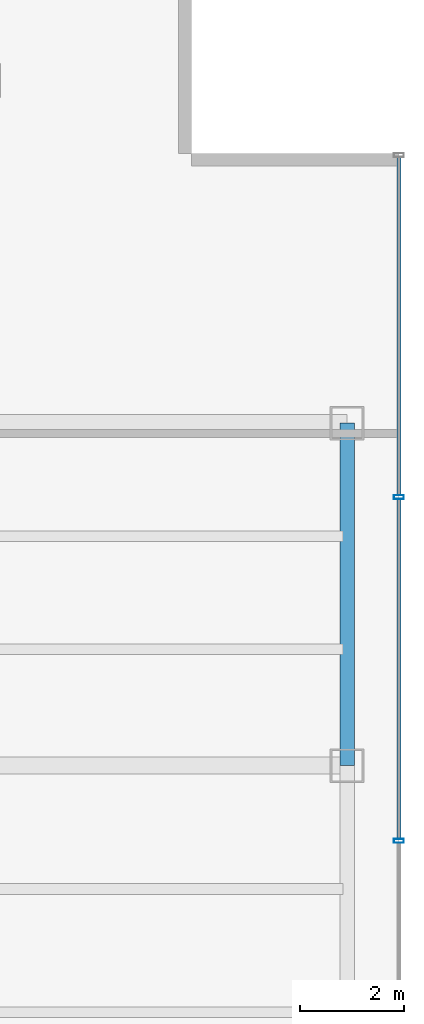
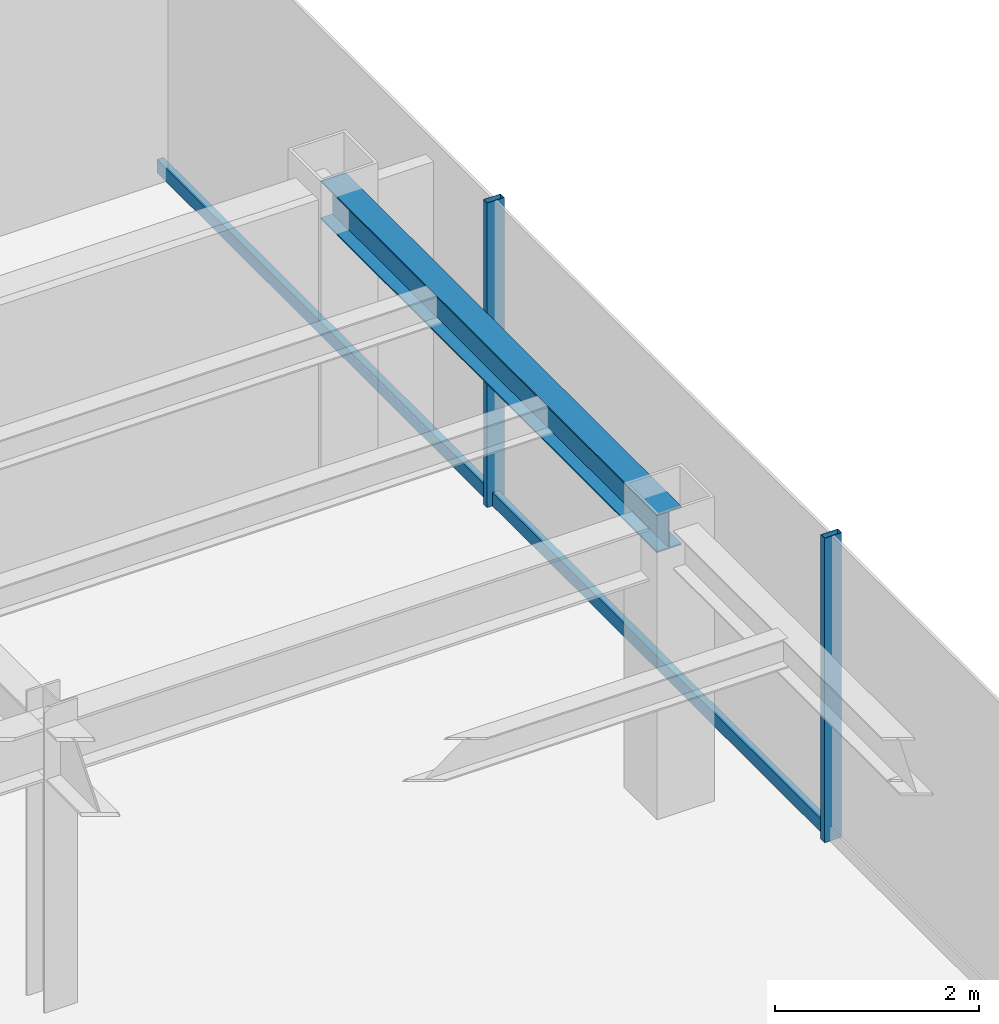
# One storey, part 13 of 25: 4 members, 1 beam, 1 element without a shape of its own.
"""IFC4 building model written with IfcOpenShell, lengths in metres."""

import ifcopenshell
import ifcopenshell.guid

model = None  # the IFC model being written
_history = None  # IfcOwnerHistory: only IFC2X3 demands one
_inside = {}  # id of a spatial element -> (the spatial element, [elements in it])
_under = {}  # id of a project, library or spatial element -> (it, [spatial elements below it])
_declared = {}  # id of a project -> (the project, [libraries it declares])
_typed = {}  # id of a type object -> (the type object, [elements of that type])
_made_of = {}  # id of a material, layer set ... -> (it, [elements and type objects made of it])


def new_model(schema):
    """Start an empty IFC model of exactly this schema.

    Asked for "IFC4X3", IfcOpenShell would pick the latest addendum, in which some entities
    have other attributes; the version numbers below select the first issue.
    IFC2X3 requires an IfcOwnerHistory on every rooted entity: one is made here for all.
    """
    global model, _history
    if schema == "IFC4X3":
        model = ifcopenshell.file(schema_version=(4, 3, 0, 0))
    else:
        model = ifcopenshell.file(schema=schema)
    _inside.clear()
    _under.clear()
    _declared.clear()
    _typed.clear()
    _made_of.clear()
    _history = None
    if model.schema == "IFC2X3":
        org = make("IfcOrganization", Name="unknown")
        user = make(
            "IfcPersonAndOrganization",
            ThePerson=make("IfcPerson", FamilyName="unknown"),
            TheOrganization=org,
        )
        app = make(
            "IfcApplication",
            ApplicationDeveloper=org,
            Version="unknown",
            ApplicationFullName="unknown",
            ApplicationIdentifier="unknown",
        )
        _history = make(
            "IfcOwnerHistory",
            OwningUser=user,
            OwningApplication=app,
            ChangeAction="ADDED",
            CreationDate=0,
        )
    return model


def make(cls, **values):
    """One entity of the class cls with the attributes given. An attribute that is None is left unset."""
    return model.create_entity(
        cls, **{name: value for name, value in values.items() if value is not None}
    )


def rooted(cls, **values):
    """An entity with a GlobalId (a new one), such as an element, a storey or a relation."""
    return make(cls, GlobalId=ifcopenshell.guid.new(), OwnerHistory=_history, **values)


def si_unit(unit_type, name, prefix=None):
    """IfcSIUnit, for example si_unit("LENGTHUNIT", "METRE", prefix="MILLI")."""
    return make("IfcSIUnit", UnitType=unit_type, Prefix=prefix, Name=name)


def derived_unit(unit_type, elements):
    """IfcDerivedUnit: a product of units, each with its exponent."""
    return make(
        "IfcDerivedUnit",
        Elements=[
            make("IfcDerivedUnitElement", Unit=unit, Exponent=power)
            for unit, power in elements
        ],
        UnitType=unit_type,
    )


def assignment(units):
    """IfcUnitAssignment: the units of a project."""
    return None if units is None else make("IfcUnitAssignment", Units=units)


def point(xyz):
    """IfcCartesianPoint."""
    return None if xyz is None else make("IfcCartesianPoint", Coordinates=xyz)


def direction(xyz):
    """IfcDirection."""
    return None if xyz is None else make("IfcDirection", DirectionRatios=xyz)


def frame(location, z_axis=None, x_axis=None):
    """IfcAxis2Placement3D, a coordinate frame: its origin and axes. An axis left out is left unset."""
    return make(
        "IfcAxis2Placement3D",
        Location=point(location),
        Axis=direction(z_axis),
        RefDirection=direction(x_axis),
    )


def frame_2d(location, x_axis=None):
    """IfcAxis2Placement2D, a coordinate frame in the plane: its origin and x axis."""
    return make(
        "IfcAxis2Placement2D", Location=point(location), RefDirection=direction(x_axis)
    )


def origin():
    """The frame at (0, 0, 0) with its axes left unset."""
    return frame((0.0, 0.0, 0.0))


def origin_2d():
    """The frame at (0, 0) in the plane with its x axis left unset."""
    return frame_2d((0.0, 0.0))


def place(relative_to, where):
    """IfcLocalPlacement: puts the frame where relative to a parent placement (None: the world)."""
    return make(
        "IfcLocalPlacement", PlacementRelTo=relative_to, RelativePlacement=where
    )


def context(
    kind, dimensions, precision=None, world=None, true_north=None, identifier=None
):
    """IfcGeometricRepresentationContext, for example the 3D "Model" context."""
    return make(
        "IfcGeometricRepresentationContext",
        ContextIdentifier=identifier,
        ContextType=kind,
        CoordinateSpaceDimension=dimensions,
        Precision=precision,
        WorldCoordinateSystem=world,
        TrueNorth=true_north,
    )


def subcontext(parent, identifier, kind, view, scale=None):
    """IfcGeometricRepresentationSubContext, for example "Body" below "Model"."""
    return make(
        "IfcGeometricRepresentationSubContext",
        ContextIdentifier=identifier,
        ContextType=kind,
        ParentContext=parent,
        TargetScale=scale,
        TargetView=view,
    )


def project(units=None, contexts=None):
    """IfcProject with its units and contexts."""
    return rooted(
        "IfcProject",
        Name="project",
        RepresentationContexts=contexts,
        UnitsInContext=assignment(units),
    )


def spatial(cls, under=None, at=None, **own):
    """A site, building, storey or space (cls), placed at a placement, below another one or the project."""
    s = rooted(cls, ObjectPlacement=at, **own)
    if under is not None:
        _under.setdefault(under.id(), (under, []))[1].append(s)
    return s


def profile(cls, at=None, kind="AREA", **sizes):
    """A parametric profile (cls). Its sizes go by their IFC names, for example OverallWidth=200.0."""
    return make(cls, ProfileType=kind, Position=at, **sizes)


def hollow_rectangle(**sizes):
    """IfcRectangleHollowProfileDef."""
    return profile("IfcRectangleHollowProfileDef", **sizes)


def i_section(**sizes):
    """IfcIShapeProfileDef."""
    return profile("IfcIShapeProfileDef", **sizes)


def extrude(swept, where, along, depth):
    """IfcExtrudedAreaSolid: the profile swept, set in the frame where, extruded along a direction by depth."""
    return make(
        "IfcExtrudedAreaSolid",
        SweptArea=swept,
        Position=where,
        ExtrudedDirection=direction(along),
        Depth=depth,
    )


def shape(context_of_items, identifier, shape_type, items):
    """IfcShapeRepresentation: the items that make up one representation, for example the "Body"."""
    return make(
        "IfcShapeRepresentation",
        ContextOfItems=context_of_items,
        RepresentationIdentifier=identifier,
        RepresentationType=shape_type,
        Items=items,
    )


def source(mapping_origin, context_of_items, identifier, shape_type, items):
    """IfcRepresentationMap: a shape defined once, which mapped items show again and again."""
    return make(
        "IfcRepresentationMap",
        MappingOrigin=mapping_origin,
        MappedRepresentation=shape(context_of_items, identifier, shape_type, items),
    )


def transform(
    local_origin,
    x_axis=None,
    y_axis=None,
    z_axis=None,
    scale=None,
    scale2=None,
    scale3=None,
    uniform=True,
):
    """IfcCartesianTransformationOperator3D, or its non-uniform kind. x_axis, y_axis, z_axis: its Axis1, 2, 3."""
    if uniform:
        return make(
            "IfcCartesianTransformationOperator3D",
            Axis1=direction(x_axis),
            Axis2=direction(y_axis),
            LocalOrigin=point(local_origin),
            Scale=scale,
            Axis3=direction(z_axis),
        )
    return make(
        "IfcCartesianTransformationOperator3DnonUniform",
        Axis1=direction(x_axis),
        Axis2=direction(y_axis),
        LocalOrigin=point(local_origin),
        Scale=scale,
        Axis3=direction(z_axis),
        Scale2=scale2,
        Scale3=scale3,
    )


def mapped(mapping_source, mapping_target):
    """IfcMappedItem: shows the shape of a source again, moved by a transform."""
    return make(
        "IfcMappedItem", MappingSource=mapping_source, MappingTarget=mapping_target
    )


def material(Name=None, Category=None):
    """IfcMaterial."""
    return make("IfcMaterial", Name=Name, Category=Category)


def material_profile(
    of_material, cross_section, Name=None, Category=None, Priority=None
):
    """IfcMaterialProfile: a cross section and its material."""
    return make(
        "IfcMaterialProfile",
        Name=Name,
        Material=of_material,
        Profile=cross_section,
        Priority=Priority,
        Category=Category,
    )


def profile_set(profiles, Name=None, composite=None):
    """IfcMaterialProfileSet."""
    return make(
        "IfcMaterialProfileSet",
        Name=Name,
        MaterialProfiles=profiles,
        CompositeProfile=composite,
    )


def made_of(thing, what):
    """Note that an element or type object is made of a material, layer set ...; save() writes the relation."""
    if what is not None:
        _made_of.setdefault(what.id(), (what, []))[1].append(thing)
    return thing


def type_object(cls, material=None, **own):
    """A type object (cls), such as IfcWallType, which elements share."""
    return made_of(rooted(cls, **own), material)


def element(
    cls,
    number,
    at=None,
    inside=None,
    cuts=None,
    type_object=None,
    material=None,
    context=None,
    identifier="Body",
    shape_type=None,
    held_by="IfcProductDefinitionShape",
    body=None,
    shapes=None,
    **own,
):
    """One element of the class cls, such as IfcWall. Its Tag is "e" and its number.

    at: its placement. inside: the storey or other place that contains it. cuts: it is an
    opening in that element (IfcRelVoidsElement). A single representation is given by context,
    identifier, shape_type and body (its items); several are given by shapes. held_by: the class
    of the entity that holds the representations. save() writes the other relations.
    """
    e = rooted(cls, Tag="e%d" % number, ObjectPlacement=at, **own)
    if body is not None:
        shapes = [shape(context, identifier, shape_type, body)]
    if shapes is not None:
        e.Representation = make(held_by, Representations=shapes)
    if inside is not None:
        _inside.setdefault(inside.id(), (inside, []))[1].append(e)
    if cuts is not None:
        rooted(
            "IfcRelVoidsElement", RelatingBuildingElement=cuts, RelatedOpeningElement=e
        )
    if type_object is not None:
        _typed.setdefault(type_object.id(), (type_object, []))[1].append(e)
    return made_of(e, material)


def aggregate(whole, parts):
    """IfcRelAggregates: a whole, such as a stair, and the parts it consists of."""
    return rooted("IfcRelAggregates", RelatingObject=whole, RelatedObjects=parts)


def save(model, path):
    """Write the relations noted so far, then the file.

    IfcRelAggregates (storeys below a building ...), IfcRelContainedInSpatialStructure (elements
    in a storey), IfcRelDefinesByType, IfcRelAssociatesMaterial and IfcRelDeclares: one each for
    every whole, place, type object, material and project.
    """
    for whole, parts in _under.values():
        aggregate(whole, parts)
    for where, things in _inside.values():
        rooted(
            "IfcRelContainedInSpatialStructure",
            RelatedElements=things,
            RelatingStructure=where,
        )
    for kind, things in _typed.values():
        rooted("IfcRelDefinesByType", RelatedObjects=things, RelatingType=kind)
    for what, things in _made_of.values():
        rooted("IfcRelAssociatesMaterial", RelatedObjects=things, RelatingMaterial=what)
    for by, libraries in _declared.values():
        rooted("IfcRelDeclares", RelatingContext=by, RelatedDefinitions=libraries)
    model.write(path)


model = new_model("IFC4")

# Units and contexts
model_context = context("Model", 3, precision=1e-05, world=origin(), true_north=direction((0.0, 1.0)))
body_context = subcontext(model_context, "Body", "Model", "MODEL_VIEW")
ifc_project = project(units=[si_unit("LENGTHUNIT", "METRE"), si_unit("AREAUNIT", "SQUARE_METRE"), si_unit("VOLUMEUNIT", "CUBIC_METRE"), si_unit("PLANEANGLEUNIT", "RADIAN"), si_unit("MASSUNIT", "GRAM", prefix="KILO"), derived_unit("THERMALTRANSMITTANCEUNIT", [(si_unit("POWERUNIT", "WATT"), 1), (si_unit("LENGTHUNIT", "METRE"), -2), (si_unit("THERMODYNAMICTEMPERATUREUNIT", "KELVIN"), -1)])], contexts=[model_context])

# Site, building, storey
site_placement = place(None, origin())
site = spatial("IfcSite", under=ifc_project, at=site_placement, CompositionType="ELEMENT")
building_placement = place(site_placement, origin())
building = spatial("IfcBuilding", under=site, at=building_placement, Name="Skarnbrae Concourse Arena and Tower", CompositionType="ELEMENT")
storey_placement = place(building_placement, frame((0.0, 0.0, 158.85009765625)))
storey = spatial("IfcBuildingStorey", under=building, at=storey_placement, Name="L40", CompositionType="ELEMENT", Elevation=158.85009765625)

# Beam
ifc_material_1 = material(Name="Steel CSA G40.21 350W", Category="steel")
ifc_material_profile_1 = material_profile(ifc_material_1, i_section(OverallWidth=0.280029296875, OverallDepth=0.462890625, WebThickness=0.0107421875, FlangeThickness=0.017333984375, at=origin_2d()), Name="W460X113")
ifc_profile_set_1 = profile_set([ifc_material_profile_1], Name="Steel CSA G40.21 350W")
beam_type = type_object("IfcBeamType", Name="BM-SPAN-W460X113", PredefinedType="SPANDREL", material=ifc_profile_set_1)
shared_shape_1 = source(origin(), body_context, "Body", "SweptSolid", [
    extrude(i_section(OverallWidth=0.280029296875, OverallDepth=0.462890625, WebThickness=0.0107421875, FlangeThickness=0.017333984375, at=origin_2d()), origin(), (0.0, 0.0, 1.0), 6.60009765625),
])
beam_placement = place(storey_placement, frame((49.0, 21.199951171875, 3.16845703125), z_axis=(0.0, 1.0, 0.0), x_axis=(-1.0, 0.0, 0.0)))
element("IfcBeam", 1, at=beam_placement, inside=storey, type_object=beam_type, Name="L40 Perimeter spandrel X49.0-3", PredefinedType="SPANDREL", context=body_context, shape_type="MappedRepresentation", body=[
    mapped(shared_shape_1, transform((0.0, 0.0, 0.0))),
])

# Curtain wall, members
ifc_material_2 = material(Name="Bronze anodised aluminium 6063-T6", Category="aluminium")
curtain_wall_type = type_object("IfcCurtainWallType", Name="CW-SYS-04-MIDZONE", PredefinedType="USERDEFINED", material=ifc_material_2)
curtain_wall_placement = place(storey_placement, origin())
curtain_wall = element("IfcCurtainWall", 2, at=curtain_wall_placement, inside=storey, type_object=curtain_wall_type, Name="L40 Unitised curtain wall CW-L40-E04", ObjectType="UNITISED CURTAIN WALL", PredefinedType="USERDEFINED")
ifc_material_profile_2 = material_profile(ifc_material_2, hollow_rectangle(XDim=0.074951171875, YDim=0.195068359375, WallThickness=0.00439453125, at=origin_2d()), Name="ALU-MULL-75X195")
ifc_profile_set_2 = profile_set([ifc_material_profile_2], Name="Bronze anodised aluminium 6063-T6")
member_type_1 = type_object("IfcMemberType", Name="CWM-CW-04", PredefinedType="MULLION", material=ifc_profile_set_2)
shared_shape_2 = source(origin(), body_context, "Body", "SweptSolid", [
    extrude(hollow_rectangle(XDim=0.074951171875, YDim=0.195068359375, WallThickness=0.00439453125, at=origin_2d()), origin(), (0.0, 0.0, 1.0), 3.64990234375),
])
member_1_placement = place(storey_placement, frame((50.0, 19.75, 0.0), z_axis=(0.0, 0.0, 1.0), x_axis=(0.0, 1.0, 0.0)))
member_1 = element("IfcMember", 3, at=member_1_placement, type_object=member_type_1, Name="CW-L40-E04 Mullion 3", PredefinedType="MULLION", context=body_context, shape_type="MappedRepresentation", body=[
    mapped(shared_shape_2, transform((0.0, 0.0, 0.0))),
])
member_2_placement = place(storey_placement, frame((50.0, 26.375, 0.0), z_axis=(0.0, 0.0, 1.0), x_axis=(0.0, 1.0, 0.0)))
member_2 = element("IfcMember", 4, at=member_2_placement, type_object=member_type_1, Name="CW-L40-E04 Mullion 4", PredefinedType="MULLION", context=body_context, shape_type="MappedRepresentation", body=[
    mapped(shared_shape_2, transform((0.0, 0.0, 0.0))),
])
ifc_material_profile_3 = material_profile(ifc_material_2, hollow_rectangle(XDim=0.074951171875, YDim=0.159912109375, WallThickness=0.00439453125, at=origin_2d()), Name="ALU-TRAN-75X160")
ifc_profile_set_3 = profile_set([ifc_material_profile_3], Name="Bronze anodised aluminium 6063-T6")
member_type_2 = type_object("IfcMemberType", Name="CWT-CW-04", PredefinedType="USERDEFINED", material=ifc_profile_set_3)
shared_shape_3 = source(origin(), body_context, "Body", "SweptSolid", [
    extrude(hollow_rectangle(XDim=0.074951171875, YDim=0.159912109375, WallThickness=0.00439453125, at=origin_2d()), origin(), (0.0, 0.0, 1.0), 6.512451171875),
])
member_3_placement = place(storey_placement, frame((50.0, 26.41259765625, 0.079833984375), z_axis=(0.0, 1.0, 0.0), x_axis=(-1.0, 0.0, 0.0)))
member_3 = element("IfcMember", 5, at=member_3_placement, type_object=member_type_2, Name="CW-L40-E04 Transom 4", ObjectType="TRANSOM", PredefinedType="USERDEFINED", context=body_context, shape_type="MappedRepresentation", body=[
    mapped(shared_shape_3, transform((0.0, 0.0, 0.0))),
])
shared_shape_4 = source(origin(), body_context, "Body", "SweptSolid", [
    extrude(hollow_rectangle(XDim=0.074951171875, YDim=0.159912109375, WallThickness=0.00439453125, at=origin_2d()), origin(), (0.0, 0.0, 1.0), 6.5498046875),
])
member_4_placement = place(storey_placement, frame((50.0, 19.78759765625, 0.079833984375), z_axis=(0.0, 1.0, 0.0), x_axis=(-1.0, 0.0, 0.0)))
member_4 = element("IfcMember", 6, at=member_4_placement, type_object=member_type_2, Name="CW-L40-E04 Transom 3", ObjectType="TRANSOM", PredefinedType="USERDEFINED", context=body_context, shape_type="MappedRepresentation", body=[
    mapped(shared_shape_4, transform((0.0, 0.0, 0.0))),
])
aggregate(curtain_wall, [member_1, member_2, member_4, member_3])

save(model, "model.ifc")
